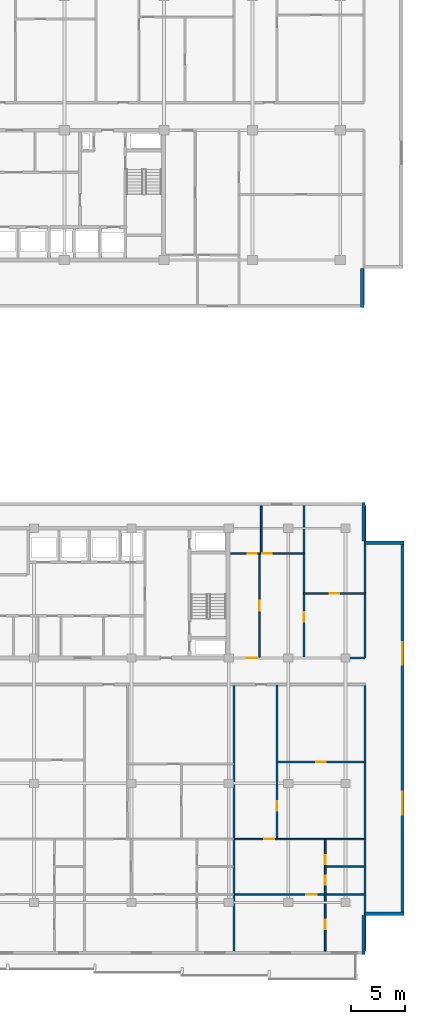
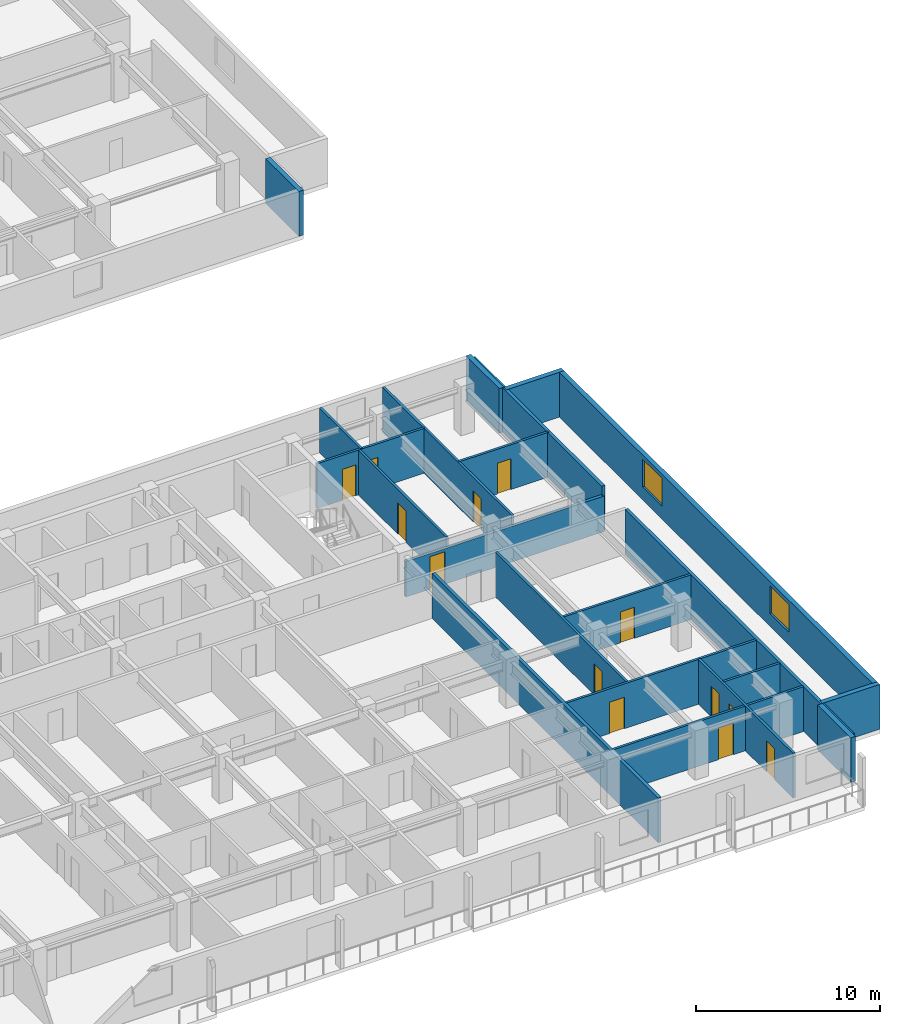
# One storey, part 9 of 21: 21 walls, 13 doors, 2 windows, 15 openings.
"""IFC4 building model written with IfcOpenShell, lengths in metres."""

from ifc_helpers import new_model, si_unit, direction, frame, frame_2d, origin, place, context, subcontext, project, spatial, rectangle, extrude, material, layer, layer_set, type_object, element, fill, save


model = new_model("IFC4")

# Units and contexts
model_context = context("Model", 3, precision=1e-05, world=origin(), true_north=direction((0.0, 1.0)))
body_context = subcontext(model_context, "Body", "Model", "MODEL_VIEW")
ifc_project = project(units=[si_unit("LENGTHUNIT", "METRE"), si_unit("AREAUNIT", "SQUARE_METRE"), si_unit("VOLUMEUNIT", "CUBIC_METRE"), si_unit("PLANEANGLEUNIT", "RADIAN"), si_unit("MASSUNIT", "GRAM", prefix="KILO")], contexts=[model_context])

# Site, building, storey
site_placement = place(None, origin())
site = spatial("IfcSite", under=ifc_project, at=site_placement, CompositionType="ELEMENT")
building_placement = place(site_placement, origin())
building = spatial("IfcBuilding", under=site, at=building_placement, Name="Korimba Cascade Residences", CompositionType="ELEMENT")
storey_placement = place(building_placement, frame((0.0, 0.0, 106.800048828125)))
storey = spatial("IfcBuildingStorey", under=building, at=storey_placement, Name="L30", CompositionType="ELEMENT", Elevation=106.800048828125)

# Walls
ifc_material_1 = material(Name="Precast concrete C40/50", Category="concrete")
ifc_layer_1 = layer(ifc_material_1, 0.300048828125)
ifc_layer_set_1 = layer_set([ifc_layer_1], Name="Precast concrete C40/50")
wall_type_1 = type_object("IfcWallType", Name="EW-STONE-300", PredefinedType="STANDARD", material=ifc_layer_set_1)
wall_1_placement = place(storey_placement, frame((130.449951171875, 50.800048828125, 0.0), z_axis=(0.0, 0.0, 1.0), x_axis=(0.0, 1.0, 0.0)))
element("IfcWall", 1, at=wall_1_placement, inside=storey, type_object=wall_type_1, Name="L30 T1 Perimeter Stone Wall E01", PredefinedType="STANDARD", context=body_context, shape_type="SweptSolid", body=[
    extrude(rectangle(XDim=3.599853515625, YDim=0.300048828125, at=frame_2d((1.7998046875, 0.0))), origin(), (0.0, 0.0, 1.0), 2.969970703125),
])
for number, where, z_axis, x_axis, name in (
    (2, (130.550048828125, -9.0, 0.0), (0.0, 0.0, 1.0), (0.0, 1.0, 0.0), "L30 T2 Perimeter Stone Wall E01"),
    (3, (130.699951171875, -5.25, 0.0), (0.0, 0.0, 1.0), (1.0, 0.0, 0.0), "L30 T2 Perimeter Stone Wall E02"),
):
    element("IfcWall", number, at=place(storey_placement, frame(where, z_axis=z_axis, x_axis=x_axis)), inside=storey, type_object=wall_type_1, Name=name, PredefinedType="STANDARD", context=body_context, shape_type="SweptSolid", body=[
        extrude(rectangle(XDim=3.60009765625, YDim=0.300048828125, at=frame_2d((1.800048828125, 0.0))), origin(), (0.0, 0.0, 1.0), 2.969970703125),
    ])

# Wall, openings, windows
wall_2_placement = place(storey_placement, frame((134.14990234375, -5.39990234375, 0.0), z_axis=(0.0, 0.0, 1.0), x_axis=(0.0, 1.0, 0.0)))
wall_2 = element("IfcWall", 4, at=wall_2_placement, inside=storey, type_object=wall_type_1, Name="L30 T2 Perimeter Stone Wall E03", PredefinedType="STANDARD", context=body_context, shape_type="SweptSolid", body=[
    extrude(rectangle(XDim=34.599853515625, YDim=0.300048828125, at=frame_2d((17.2998046875, 0.0))), origin(), (0.0, 0.0, 1.0), 2.969970703125),
])
opening_1_placement = place(wall_2_placement, frame((9.330078125, 0.0, 0.85009765625)))
opening_1 = element("IfcOpeningElement", 5, at=opening_1_placement, cuts=wall_2, Name="Opening W-03", PredefinedType="OPENING", context=body_context, shape_type="SweptSolid", body=[
    extrude(rectangle(XDim=2.10009765625, YDim=1.85009765625, at=frame_2d((1.050048828125, 0.925048828125))), frame((0.0, 0.16015625, 0.0), z_axis=(0.0, -1.0, 0.0), x_axis=(1.0, 0.0, 0.0)), (0.0, 0.0, 1.0), 0.320068359375),
])
opening_2_placement = place(wall_2_placement, frame((23.169921875, 0.0, 0.85009765625)))
opening_2 = element("IfcOpeningElement", 6, at=opening_2_placement, cuts=wall_2, Name="Opening W-03", PredefinedType="OPENING", context=body_context, shape_type="SweptSolid", body=[
    extrude(rectangle(XDim=2.10009765625, YDim=1.85009765625, at=frame_2d((1.050048828125, 0.925048828125))), frame((0.0, 0.16015625, 0.0), z_axis=(0.0, -1.0, 0.0), x_axis=(1.0, 0.0, 0.0)), (0.0, 0.0, 1.0), 0.320068359375),
])
ifc_material_2 = material(Name="Double-Glazed Aluminium Window", Category="aluminium")
window_type = type_object("IfcWindowType", Name="WIN-CRN-2100", PartitioningType="DOUBLE_PANEL_HORIZONTAL", PredefinedType="WINDOW", material=ifc_material_2)
window_1_placement = place(opening_1_placement, origin())
window_1 = element("IfcWindow", 7, at=window_1_placement, inside=storey, type_object=window_type, Name="L30 T2 End View Window 3.1", OverallHeight=1.85009765625, OverallWidth=2.10009765625, PartitioningType="DOUBLE_PANEL_HORIZONTAL", PredefinedType="WINDOW", context=body_context, shape_type="SweptSolid", body=[
    extrude(rectangle(XDim=2.10009765625, YDim=1.85009765625, at=frame_2d((1.050048828125, 0.925048828125))), frame((0.0, 0.030029296875, 0.0), z_axis=(0.0, -1.0, 0.0), x_axis=(1.0, 0.0, 0.0)), (0.0, 0.0, 1.0), 0.06005859375),
])
fill(opening_1, window_1)
window_2_placement = place(opening_2_placement, origin())
window_2 = element("IfcWindow", 8, at=window_2_placement, inside=storey, type_object=window_type, Name="L30 T2 End View Window 3.2", OverallHeight=1.85009765625, OverallWidth=2.10009765625, PartitioningType="DOUBLE_PANEL_HORIZONTAL", PredefinedType="WINDOW", context=body_context, shape_type="SweptSolid", body=[
    extrude(rectangle(XDim=2.10009765625, YDim=1.85009765625, at=frame_2d((1.050048828125, 0.925048828125))), frame((0.0, 0.030029296875, 0.0), z_axis=(0.0, -1.0, 0.0), x_axis=(1.0, 0.0, 0.0)), (0.0, 0.0, 1.0), 0.06005859375),
])
fill(opening_2, window_2)

# Walls
for number, where, z_axis, x_axis, name in (
    (9, (134.300048828125, 29.050048828125, 0.0), (0.0, 0.0, 1.0), (-1.0, 0.0, 0.0), "L30 T2 Perimeter Stone Wall E04"),
    (10, (130.550048828125, 29.199951171875, 0.0), (0.0, 0.0, 1.0), (0.0, 1.0, 0.0), "L30 T2 Perimeter Stone Wall E05"),
):
    element("IfcWall", number, at=place(storey_placement, frame(where, z_axis=z_axis, x_axis=x_axis)), inside=storey, type_object=wall_type_1, Name=name, PredefinedType="STANDARD", context=body_context, shape_type="SweptSolid", body=[
        extrude(rectangle(XDim=3.60009765625, YDim=0.300048828125, at=frame_2d((1.800048828125, 0.0))), origin(), (0.0, 0.0, 1.0), 2.969970703125),
    ])
ifc_layer_2 = layer(ifc_material_1, 0.199951171875)
ifc_layer_set_2 = layer_set([ifc_layer_2], Name="Precast concrete C40/50")
wall_type_2 = type_object("IfcWallType", Name="WAL-IT-200", PredefinedType="PARTITIONING", material=ifc_layer_set_2)
wall_3_placement = place(storey_placement, frame((130.699951171875, 18.39990234375, 0.0), z_axis=(0.0, 0.0, 1.0), x_axis=(0.0, 1.0, 0.0)))
element("IfcWall", 11, at=wall_3_placement, inside=storey, type_object=wall_type_2, Name="L30 Partition Wall WAL-L30-T2-FE-WR", PredefinedType="PARTITIONING", context=body_context, shape_type="SweptSolid", body=[
    extrude(rectangle(XDim=14.10009765625, YDim=0.199951171875, at=frame_2d((7.050048828125, 0.0))), origin(), (0.0, 0.0, 1.0), 2.969970703125),
])

# Wall, opening, door
wall_4_placement = place(storey_placement, frame((118.25, 18.39990234375, 0.0), z_axis=(0.0, 0.0, 1.0), x_axis=(1.0, 0.0, 0.0)))
wall_4 = element("IfcWall", 12, at=wall_4_placement, inside=storey, type_object=wall_type_2, Name="L30 Partition Wall WAL-L30-T2-FE-S", PredefinedType="PARTITIONING", context=body_context, shape_type="SweptSolid", body=[
    extrude(rectangle(XDim=12.449951171875, YDim=0.199951171875, at=frame_2d((6.22509765625, 0.0))), origin(), (0.0, 0.0, 1.0), 2.357666015625),
])
opening_3_placement = place(wall_4_placement, frame((1.510009765625, 0.0, 0.0)))
opening_3 = element("IfcOpeningElement", 13, at=opening_3_placement, cuts=wall_4, Name="Opening D-UN1", PredefinedType="OPENING", context=body_context, shape_type="SweptSolid", body=[
    extrude(rectangle(XDim=0.949951171875, YDim=2.14990234375, at=frame_2d((0.47509765625, 1.074951171875))), frame((0.0, 0.10986328125, 0.0), z_axis=(0.0, -1.0, 0.0), x_axis=(1.0, 0.0, 0.0)), (0.0, 0.0, 1.0), 0.219970703125),
])
ifc_material_3 = material(Name="Fire-Rated Hardwood Apartment Entrance Door", Category="wood")
door_type_1 = type_object("IfcDoorType", Name="DR-FD60-950", OperationType="NOTDEFINED", PredefinedType="DOOR", material=ifc_material_3)
door_1_placement = place(opening_3_placement, origin())
door_1 = element("IfcDoor", 14, at=door_1_placement, inside=storey, type_object=door_type_1, Name="L30-T2-FE Entrance Door", OperationType="SINGLE_SWING_RIGHT", OverallHeight=2.14990234375, OverallWidth=0.949951171875, PredefinedType="DOOR", context=body_context, shape_type="SweptSolid", body=[
    extrude(rectangle(XDim=0.949951171875, YDim=2.14990234375, at=frame_2d((0.47509765625, 1.074951171875))), frame((0.0, 0.02490234375, 0.0), z_axis=(0.0, -1.0, 0.0), x_axis=(1.0, 0.0, 0.0)), (0.0, 0.0, 1.0), 0.050048828125),
])
fill(opening_3, door_1)

# Walls
for number, where, z_axis, x_axis, name in (
    (15, (130.699951171875, -8.699951171875, 0.0), (0.0, 0.0, 1.0), (0.0, 1.0, 0.0), "L30 Partition Wall WAL-L30-T2-BNDWR"),
    (16, (118.583251953125, -8.699951171875, 0.0), (0.0, 0.0, 1.0), (0.0, 1.0, 0.0), "L30 Partition Wall WAL-L30-T2-DEM-3"),
):
    element("IfcWall", number, at=place(storey_placement, frame(where, z_axis=z_axis, x_axis=x_axis)), inside=storey, type_object=wall_type_2, Name=name, PredefinedType="PARTITIONING", context=body_context, shape_type="SweptSolid", body=[
        extrude(rectangle(XDim=24.570068359375, YDim=0.199951171875, at=frame_2d((12.28515625, 0.0))), origin(), (0.0, 0.0, 1.0), 2.969970703125),
    ])

# Wall, opening, door
ifc_material_4 = material(Name="Insulated Acoustic Stud Partition", Category="gypsum")
ifc_layer_3 = layer(ifc_material_4, 0.14990234375)
ifc_layer_set_3 = layer_set([ifc_layer_3], Name="Insulated Acoustic Stud Partition")
wall_type_3 = type_object("IfcWallType", Name="WAL-PART-150", PredefinedType="PARTITIONING", material=ifc_layer_set_3)
wall_5_placement = place(storey_placement, frame((125.050048828125, 24.35009765625, 0.0), z_axis=(0.0, 0.0, 1.0), x_axis=(1.0, 0.0, 0.0)))
wall_5 = element("IfcWall", 17, at=wall_5_placement, inside=storey, type_object=wall_type_3, Name="L30 Partition Wall WAL-L30-T2-FE-STH", PredefinedType="PARTITIONING", context=body_context, shape_type="SweptSolid", body=[
    extrude(rectangle(XDim=5.64990234375, YDim=0.14990234375, at=frame_2d((2.824951171875, 0.0))), origin(), (0.0, 0.0, 1.0), 2.969970703125),
])
opening_4_placement = place(wall_5_placement, frame((2.405029296875, 0.0, 0.0)))
opening_4 = element("IfcOpeningElement", 18, at=opening_4_placement, cuts=wall_5, Name="Opening D-BT1", PredefinedType="OPENING", context=body_context, shape_type="SweptSolid", body=[
    extrude(rectangle(XDim=0.840087890625, YDim=2.0400390625, at=frame_2d((0.419921875, 1.02001953125))), frame((0.0, 0.0849609375, 0.0), z_axis=(0.0, -1.0, 0.0), x_axis=(1.0, 0.0, 0.0)), (0.0, 0.0, 1.0), 0.169921875),
])
ifc_material_5 = material(Name="Moisture-Resistant Bathroom Timber Door", Category="wood")
door_type_2 = type_object("IfcDoorType", Name="DR-INT-850", OperationType="NOTDEFINED", PredefinedType="DOOR", material=ifc_material_5)
door_2_placement = place(opening_4_placement, origin())
door_2 = element("IfcDoor", 19, at=door_2_placement, inside=storey, type_object=door_type_2, Name="L30-T2-FE Dressing Store Door", OperationType="SINGLE_SWING_LEFT", OverallHeight=2.0400390625, OverallWidth=0.840087890625, PredefinedType="DOOR", context=body_context, shape_type="SweptSolid", body=[
    extrude(rectangle(XDim=0.840087890625, YDim=2.0400390625, at=frame_2d((0.419921875, 1.02001953125))), frame((0.0, 0.02490234375, 0.0), z_axis=(0.0, -1.0, 0.0), x_axis=(1.0, 0.0, 0.0)), (0.0, 0.0, 1.0), 0.050048828125),
])
fill(opening_4, door_2)

wall_6_placement = place(storey_placement, frame((125.050048828125, 18.449951171875, 0.0), z_axis=(0.0, 0.0, 1.0), x_axis=(0.0, 1.0, 0.0)))
wall_6 = element("IfcWall", 20, at=wall_6_placement, inside=storey, type_object=wall_type_3, Name="L30 Partition Wall WAL-L30-T2-FE-STV", PredefinedType="PARTITIONING", context=body_context, shape_type="SweptSolid", body=[
    extrude(rectangle(XDim=14.050048828125, YDim=0.14990234375, at=frame_2d((7.02490234375, 0.0))), origin(), (0.0, 0.0, 1.0), 2.969970703125),
])
opening_5_placement = place(wall_6_placement, frame((3.320068359375, 0.0, 0.0)))
opening_5 = element("IfcOpeningElement", 21, at=opening_5_placement, cuts=wall_6, Name="Opening D-IN2", PredefinedType="OPENING", context=body_context, shape_type="SweptSolid", body=[
    extrude(rectangle(XDim=0.8798828125, YDim=2.06005859375, at=frame_2d((0.43994140625, 1.030029296875))), frame((0.0, 0.0849609375, 0.0), z_axis=(0.0, -1.0, 0.0), x_axis=(1.0, 0.0, 0.0)), (0.0, 0.0, 1.0), 0.169921875),
])
ifc_material_6 = material(Name="Acoustic Timber Bedroom Door", Category="wood")
door_type_3 = type_object("IfcDoorType", Name="DR-INT-880", OperationType="NOTDEFINED", PredefinedType="DOOR", material=ifc_material_6)
door_3_placement = place(opening_5_placement, origin())
door_3 = element("IfcDoor", 22, at=door_3_placement, inside=storey, type_object=door_type_3, Name="L30-T2-FE Study Door", OperationType="SINGLE_SWING_RIGHT", OverallHeight=2.06005859375, OverallWidth=0.8798828125, PredefinedType="DOOR", context=body_context, shape_type="SweptSolid", body=[
    extrude(rectangle(XDim=0.8798828125, YDim=2.06005859375, at=frame_2d((0.43994140625, 1.030029296875))), frame((0.0, 0.02490234375, 0.0), z_axis=(0.0, -1.0, 0.0), x_axis=(1.0, 0.0, 0.0)), (0.0, 0.0, 1.0), 0.050048828125),
])
fill(opening_5, door_3)

wall_7_placement = place(storey_placement, frame((120.929931640625, 18.449951171875, 0.0), z_axis=(0.0, 0.0, 1.0), x_axis=(0.0, 1.0, 0.0)))
wall_7 = element("IfcWall", 23, at=wall_7_placement, inside=storey, type_object=wall_type_3, Name="L30 Partition Wall WAL-L30-T2-FE-VS", PredefinedType="PARTITIONING", context=body_context, shape_type="SweptSolid", body=[
    extrude(rectangle(XDim=9.60009765625, YDim=0.14990234375, at=frame_2d((4.800048828125, 0.0))), origin(), (0.0, 0.0, 1.0), 2.969970703125),
])
opening_6_placement = place(wall_7_placement, frame((4.340087890625, 0.0, 0.0)))
opening_6 = element("IfcOpeningElement", 24, at=opening_6_placement, cuts=wall_7, Name="Opening D-IN1", PredefinedType="OPENING", context=body_context, shape_type="SweptSolid", body=[
    extrude(rectangle(XDim=0.919921875, YDim=2.080078125, at=frame_2d((0.4599609375, 1.0400390625))), frame((0.0, 0.0849609375, 0.0), z_axis=(0.0, -1.0, 0.0), x_axis=(1.0, 0.0, 0.0)), (0.0, 0.0, 1.0), 0.169921875),
])
ifc_material_7 = material(Name="Acoustic Timber Living Door", Category="wood")
door_type_4 = type_object("IfcDoorType", Name="DR-INT-920", OperationType="NOTDEFINED", PredefinedType="DOOR", material=ifc_material_7)
door_4_placement = place(opening_6_placement, origin())
door_4 = element("IfcDoor", 25, at=door_4_placement, inside=storey, type_object=door_type_4, Name="L30-T2-FE Living Door", OperationType="SINGLE_SWING_LEFT", OverallHeight=2.080078125, OverallWidth=0.919921875, PredefinedType="DOOR", context=body_context, shape_type="SweptSolid", body=[
    extrude(rectangle(XDim=0.919921875, YDim=2.080078125, at=frame_2d((0.4599609375, 1.0400390625))), frame((0.0, 0.02490234375, 0.0), z_axis=(0.0, -1.0, 0.0), x_axis=(1.0, 0.0, 0.0)), (0.0, 0.0, 1.0), 0.050048828125),
])
fill(opening_6, door_4)

# Wall
wall_8_placement = place(storey_placement, frame((121.10009765625, 28.050048828125, 0.0), z_axis=(0.0, 0.0, 1.0), x_axis=(0.0, 1.0, 0.0)))
element("IfcWall", 26, at=wall_8_placement, inside=storey, type_object=wall_type_3, Name="L30 Partition Wall WAL-L30-T2-FE-VN", PredefinedType="PARTITIONING", context=body_context, shape_type="SweptSolid", body=[
    extrude(rectangle(XDim=4.449951171875, YDim=0.14990234375, at=frame_2d((2.22509765625, 0.0))), origin(), (0.0, 0.0, 1.0), 2.969970703125),
])

# Wall, openings, doors
wall_9_placement = place(storey_placement, frame((118.27001953125, 28.050048828125, 0.0), z_axis=(0.0, 0.0, 1.0), x_axis=(1.0, 0.0, 0.0)))
wall_9 = element("IfcWall", 27, at=wall_9_placement, inside=storey, type_object=wall_type_3, Name="L30 Partition Wall WAL-L30-T2-FE-H", PredefinedType="PARTITIONING", context=body_context, shape_type="SweptSolid", body=[
    extrude(rectangle(XDim=6.760009765625, YDim=0.14990234375, at=frame_2d((3.3798828125, 0.0))), origin(), (0.0, 0.0, 1.0), 2.969970703125),
])
opening_7_placement = place(wall_9_placement, frame((1.58740234375, 0.0, 0.0)))
opening_7 = element("IfcOpeningElement", 28, at=opening_7_placement, cuts=wall_9, Name="Opening D-BT1", PredefinedType="OPENING", context=body_context, shape_type="SweptSolid", body=[
    extrude(rectangle(XDim=0.840087890625, YDim=2.0400390625, at=frame_2d((0.419921875, 1.02001953125))), frame((0.0, 0.0849609375, 0.0), z_axis=(0.0, -1.0, 0.0), x_axis=(1.0, 0.0, 0.0)), (0.0, 0.0, 1.0), 0.169921875),
])
opening_8_placement = place(wall_9_placement, frame((2.93994140625, 0.0, 0.0)))
opening_8 = element("IfcOpeningElement", 29, at=opening_8_placement, cuts=wall_9, Name="Opening D-IN2", PredefinedType="OPENING", context=body_context, shape_type="SweptSolid", body=[
    extrude(rectangle(XDim=0.8798828125, YDim=2.06005859375, at=frame_2d((0.43994140625, 1.030029296875))), frame((0.0, 0.0849609375, 0.0), z_axis=(0.0, -1.0, 0.0), x_axis=(1.0, 0.0, 0.0)), (0.0, 0.0, 1.0), 0.169921875),
])
door_5_placement = place(opening_7_placement, origin())
door_5 = element("IfcDoor", 30, at=door_5_placement, inside=storey, type_object=door_type_2, Name="L30-T2-FE Bathroom Door", OperationType="SINGLE_SWING_RIGHT", OverallHeight=2.0400390625, OverallWidth=0.840087890625, PredefinedType="DOOR", context=body_context, shape_type="SweptSolid", body=[
    extrude(rectangle(XDim=0.840087890625, YDim=2.0400390625, at=frame_2d((0.419921875, 1.02001953125))), frame((0.0, 0.02490234375, 0.0), z_axis=(0.0, -1.0, 0.0), x_axis=(1.0, 0.0, 0.0)), (0.0, 0.0, 1.0), 0.050048828125),
])
fill(opening_7, door_5)
door_6_placement = place(opening_8_placement, origin())
door_6 = element("IfcDoor", 31, at=door_6_placement, inside=storey, type_object=door_type_3, Name="L30-T2-FE Bedroom Door", OperationType="SINGLE_SWING_LEFT", OverallHeight=2.06005859375, OverallWidth=0.8798828125, PredefinedType="DOOR", context=body_context, shape_type="SweptSolid", body=[
    extrude(rectangle(XDim=0.8798828125, YDim=2.06005859375, at=frame_2d((0.43994140625, 1.030029296875))), frame((0.0, 0.02490234375, 0.0), z_axis=(0.0, -1.0, 0.0), x_axis=(1.0, 0.0, 0.0)), (0.0, 0.0, 1.0), 0.050048828125),
])
fill(opening_8, door_6)

# Wall, opening, door
wall_10_placement = place(storey_placement, frame((122.61328125, 8.7900390625, 0.0), z_axis=(0.0, 0.0, 1.0), x_axis=(1.0, 0.0, 0.0)))
wall_10 = element("IfcWall", 32, at=wall_10_placement, inside=storey, type_object=wall_type_3, Name="L30 Partition Wall WAL-L30-T2-U04-FMH", PredefinedType="PARTITIONING", context=body_context, shape_type="SweptSolid", body=[
    extrude(rectangle(XDim=8.0068359375, YDim=0.14990234375, at=frame_2d((4.00341796875, 0.0))), origin(), (0.0, 0.0, 1.0), 2.969970703125),
])
opening_9_placement = place(wall_10_placement, frame((3.5634765625, 0.0, 0.0)))
opening_9 = element("IfcOpeningElement", 33, at=opening_9_placement, cuts=wall_10, Name="Opening D-IN2", PredefinedType="OPENING", context=body_context, shape_type="SweptSolid", body=[
    extrude(rectangle(XDim=0.8798828125, YDim=2.06005859375, at=frame_2d((0.43994140625, 1.030029296875))), frame((0.0, 0.0849609375, 0.0), z_axis=(0.0, -1.0, 0.0), x_axis=(1.0, 0.0, 0.0)), (0.0, 0.0, 1.0), 0.169921875),
])
door_7_placement = place(opening_9_placement, origin())
door_7 = element("IfcDoor", 34, at=door_7_placement, inside=storey, type_object=door_type_3, Name="L30-T2-U04 Library Salon Door", OperationType="SINGLE_SWING_LEFT", OverallHeight=2.06005859375, OverallWidth=0.8798828125, PredefinedType="DOOR", context=body_context, shape_type="SweptSolid", body=[
    extrude(rectangle(XDim=0.8798828125, YDim=2.06005859375, at=frame_2d((0.43994140625, 1.030029296875))), frame((0.0, 0.02490234375, 0.0), z_axis=(0.0, -1.0, 0.0), x_axis=(1.0, 0.0, 0.0)), (0.0, 0.0, 1.0), 0.050048828125),
])
fill(opening_9, door_7)

wall_11_placement = place(storey_placement, frame((122.55322265625, 1.68994140625, 0.0), z_axis=(0.0, 0.0, 1.0), x_axis=(0.0, 1.0, 0.0)))
wall_11 = element("IfcWall", 35, at=wall_11_placement, inside=storey, type_object=wall_type_3, Name="L30 Partition Wall WAL-L30-T2-U04-FV", PredefinedType="PARTITIONING", context=body_context, shape_type="SweptSolid", body=[
    extrude(rectangle(XDim=14.199951171875, YDim=0.14990234375, at=frame_2d((7.10009765625, 0.0))), origin(), (0.0, 0.0, 1.0), 2.969970703125),
])
opening_10_placement = place(wall_11_placement, frame((2.597900390625, 0.0, 0.0)))
opening_10 = element("IfcOpeningElement", 36, at=opening_10_placement, cuts=wall_11, Name="Opening D-IN2", PredefinedType="OPENING", context=body_context, shape_type="SweptSolid", body=[
    extrude(rectangle(XDim=0.8798828125, YDim=2.06005859375, at=frame_2d((0.43994140625, 1.030029296875))), frame((0.0, 0.0849609375, 0.0), z_axis=(0.0, -1.0, 0.0), x_axis=(1.0, 0.0, 0.0)), (0.0, 0.0, 1.0), 0.169921875),
])
door_8_placement = place(opening_10_placement, origin())
door_8 = element("IfcDoor", 37, at=door_8_placement, inside=storey, type_object=door_type_3, Name="L30-T2-U04 Media Lounge Door", OperationType="SINGLE_SWING_RIGHT", OverallHeight=2.06005859375, OverallWidth=0.8798828125, PredefinedType="DOOR", context=body_context, shape_type="SweptSolid", body=[
    extrude(rectangle(XDim=0.8798828125, YDim=2.06005859375, at=frame_2d((0.43994140625, 1.030029296875))), frame((0.0, 0.02490234375, 0.0), z_axis=(0.0, -1.0, 0.0), x_axis=(1.0, 0.0, 0.0)), (0.0, 0.0, 1.0), 0.050048828125),
])
fill(opening_10, door_8)

# Wall
wall_12_placement = place(storey_placement, frame((127.080078125, -0.889892578125, 0.0), z_axis=(0.0, 0.0, 1.0), x_axis=(1.0, 0.0, 0.0)))
element("IfcWall", 38, at=wall_12_placement, inside=storey, type_object=wall_type_3, Name="L30 Partition Wall WAL-L30-T2-U04-BLDIV", PredefinedType="PARTITIONING", context=body_context, shape_type="SweptSolid", body=[
    extrude(rectangle(XDim=3.5400390625, YDim=0.14990234375, at=frame_2d((1.77001953125, 0.0))), origin(), (0.0, 0.0, 1.0), 2.969970703125),
])

# Wall, openings, doors
wall_13_placement = place(storey_placement, frame((127.02001953125, -8.699951171875, 0.0), z_axis=(0.0, 0.0, 1.0), x_axis=(0.0, 1.0, 0.0)))
wall_13 = element("IfcWall", 39, at=wall_13_placement, inside=storey, type_object=wall_type_3, Name="L30 Partition Wall WAL-L30-T2-U04-V1", PredefinedType="PARTITIONING", context=body_context, shape_type="SweptSolid", body=[
    extrude(rectangle(XDim=10.31005859375, YDim=0.14990234375, at=frame_2d((5.155029296875, 0.0))), origin(), (0.0, 0.0, 1.0), 2.969970703125),
])
opening_11_placement = place(wall_13_placement, frame((6.120361328125, 0.0, 0.0)))
opening_11 = element("IfcOpeningElement", 40, at=opening_11_placement, cuts=wall_13, Name="Opening D-BT1", PredefinedType="OPENING", context=body_context, shape_type="SweptSolid", body=[
    extrude(rectangle(XDim=0.840087890625, YDim=2.0400390625, at=frame_2d((0.419921875, 1.02001953125))), frame((0.0, 0.0849609375, 0.0), z_axis=(0.0, -1.0, 0.0), x_axis=(1.0, 0.0, 0.0)), (0.0, 0.0, 1.0), 0.169921875),
])
opening_12_placement = place(wall_13_placement, frame((8.03955078125, 0.0, 0.0)))
opening_12 = element("IfcOpeningElement", 41, at=opening_12_placement, cuts=wall_13, Name="Opening D-BT1", PredefinedType="OPENING", context=body_context, shape_type="SweptSolid", body=[
    extrude(rectangle(XDim=0.840087890625, YDim=2.0400390625, at=frame_2d((0.419921875, 1.02001953125))), frame((0.0, 0.0849609375, 0.0), z_axis=(0.0, -1.0, 0.0), x_axis=(1.0, 0.0, 0.0)), (0.0, 0.0, 1.0), 0.169921875),
])
opening_13_placement = place(wall_13_placement, frame((2.001220703125, 0.0, 0.0)))
opening_13 = element("IfcOpeningElement", 42, at=opening_13_placement, cuts=wall_13, Name="Opening D-IN2", PredefinedType="OPENING", context=body_context, shape_type="SweptSolid", body=[
    extrude(rectangle(XDim=0.8798828125, YDim=2.06005859375, at=frame_2d((0.43994140625, 1.030029296875))), frame((0.0, 0.0849609375, 0.0), z_axis=(0.0, -1.0, 0.0), x_axis=(1.0, 0.0, 0.0)), (0.0, 0.0, 1.0), 0.169921875),
])
door_9_placement = place(opening_11_placement, origin())
door_9 = element("IfcDoor", 43, at=door_9_placement, inside=storey, type_object=door_type_2, Name="L30-T2-U04 Bathroom Door", OperationType="SINGLE_SWING_LEFT", OverallHeight=2.0400390625, OverallWidth=0.840087890625, PredefinedType="DOOR", context=body_context, shape_type="SweptSolid", body=[
    extrude(rectangle(XDim=0.840087890625, YDim=2.0400390625, at=frame_2d((0.419921875, 1.02001953125))), frame((0.0, 0.02490234375, 0.0), z_axis=(0.0, -1.0, 0.0), x_axis=(1.0, 0.0, 0.0)), (0.0, 0.0, 1.0), 0.050048828125),
])
fill(opening_11, door_9)
door_10_placement = place(opening_12_placement, origin())
door_10 = element("IfcDoor", 44, at=door_10_placement, inside=storey, type_object=door_type_2, Name="L30-T2-U04 Laundry Door", OperationType="SINGLE_SWING_RIGHT", OverallHeight=2.0400390625, OverallWidth=0.840087890625, PredefinedType="DOOR", context=body_context, shape_type="SweptSolid", body=[
    extrude(rectangle(XDim=0.840087890625, YDim=2.0400390625, at=frame_2d((0.419921875, 1.02001953125))), frame((0.0, 0.02490234375, 0.0), z_axis=(0.0, -1.0, 0.0), x_axis=(1.0, 0.0, 0.0)), (0.0, 0.0, 1.0), 0.050048828125),
])
fill(opening_12, door_10)
door_11_placement = place(opening_13_placement, origin())
door_11 = element("IfcDoor", 45, at=door_11_placement, inside=storey, type_object=door_type_3, Name="L30-T2-U04 Bedroom 1 Door", OperationType="SINGLE_SWING_LEFT", OverallHeight=2.06005859375, OverallWidth=0.8798828125, PredefinedType="DOOR", context=body_context, shape_type="SweptSolid", body=[
    extrude(rectangle(XDim=0.8798828125, YDim=2.06005859375, at=frame_2d((0.43994140625, 1.030029296875))), frame((0.0, 0.02490234375, 0.0), z_axis=(0.0, -1.0, 0.0), x_axis=(1.0, 0.0, 0.0)), (0.0, 0.0, 1.0), 0.050048828125),
])
fill(opening_13, door_11)

# Wall, opening, door
wall_14_placement = place(storey_placement, frame((118.663330078125, 1.64990234375, 0.0), z_axis=(0.0, 0.0, 1.0), x_axis=(1.0, 0.0, 0.0)))
wall_14 = element("IfcWall", 46, at=wall_14_placement, inside=storey, type_object=wall_type_3, Name="L30 Partition Wall WAL-L30-T2-U04-MW", PredefinedType="PARTITIONING", context=body_context, shape_type="SweptSolid", body=[
    extrude(rectangle(XDim=11.956787109375, YDim=0.14990234375, at=frame_2d((5.978515625, 0.0))), origin(), (0.0, 0.0, 1.0), 2.969970703125),
])
opening_14_placement = place(wall_14_placement, frame((2.719970703125, 0.0, 0.0)))
opening_14 = element("IfcOpeningElement", 47, at=opening_14_placement, cuts=wall_14, Name="Opening D-IN1", PredefinedType="OPENING", context=body_context, shape_type="SweptSolid", body=[
    extrude(rectangle(XDim=0.919921875, YDim=2.080078125, at=frame_2d((0.4599609375, 1.0400390625))), frame((0.0, 0.0849609375, 0.0), z_axis=(0.0, -1.0, 0.0), x_axis=(1.0, 0.0, 0.0)), (0.0, 0.0, 1.0), 0.169921875),
])
door_12_placement = place(opening_14_placement, origin())
door_12 = element("IfcDoor", 48, at=door_12_placement, inside=storey, type_object=door_type_4, Name="L30-T2-U04 Kitchen Archway Door", OperationType="SINGLE_SWING_RIGHT", OverallHeight=2.080078125, OverallWidth=0.919921875, PredefinedType="DOOR", context=body_context, shape_type="SweptSolid", body=[
    extrude(rectangle(XDim=0.919921875, YDim=2.080078125, at=frame_2d((0.4599609375, 1.0400390625))), frame((0.0, 0.02490234375, 0.0), z_axis=(0.0, -1.0, 0.0), x_axis=(1.0, 0.0, 0.0)), (0.0, 0.0, 1.0), 0.050048828125),
])
fill(opening_14, door_12)

wall_15_placement = place(storey_placement, frame((118.663330078125, -3.449951171875, 0.0), z_axis=(0.0, 0.0, 1.0), x_axis=(1.0, 0.0, 0.0)))
wall_15 = element("IfcWall", 49, at=wall_15_placement, inside=storey, type_object=wall_type_3, Name="L30 Partition Wall WAL-L30-T2-U04-HZ", PredefinedType="PARTITIONING", context=body_context, shape_type="SweptSolid", body=[
    extrude(rectangle(XDim=11.956787109375, YDim=0.14990234375, at=frame_2d((5.978515625, 0.0))), origin(), (0.0, 0.0, 1.0), 2.969970703125),
])
opening_15_placement = place(wall_15_placement, frame((6.61328125, 0.0, 0.0)))
opening_15 = element("IfcOpeningElement", 50, at=opening_15_placement, cuts=wall_15, Name="Opening D-IN0", PredefinedType="OPENING", context=body_context, shape_type="SweptSolid", body=[
    extrude(rectangle(XDim=0.93994140625, YDim=2.10009765625, at=frame_2d((0.469970703125, 1.050048828125))), frame((0.0, 0.0849609375, 0.0), z_axis=(0.0, -1.0, 0.0), x_axis=(1.0, 0.0, 0.0)), (0.0, 0.0, 1.0), 0.169921875),
])
ifc_material_8 = material(Name="Acoustic Timber Living Archway Door", Category="wood")
door_type_5 = type_object("IfcDoorType", Name="DR-INT-950", OperationType="NOTDEFINED", PredefinedType="DOOR", material=ifc_material_8)
door_13_placement = place(opening_15_placement, origin())
door_13 = element("IfcDoor", 51, at=door_13_placement, inside=storey, type_object=door_type_5, Name="L30-T2-U04 Living Archway Door", OperationType="SINGLE_SWING_LEFT", OverallHeight=2.10009765625, OverallWidth=0.93994140625, PredefinedType="DOOR", context=body_context, shape_type="SweptSolid", body=[
    extrude(rectangle(XDim=0.93994140625, YDim=2.10009765625, at=frame_2d((0.469970703125, 1.050048828125))), frame((0.0, 0.02490234375, 0.0), z_axis=(0.0, -1.0, 0.0), x_axis=(1.0, 0.0, 0.0)), (0.0, 0.0, 1.0), 0.050048828125),
])
fill(opening_15, door_13)

save(model, "model.ifc")
